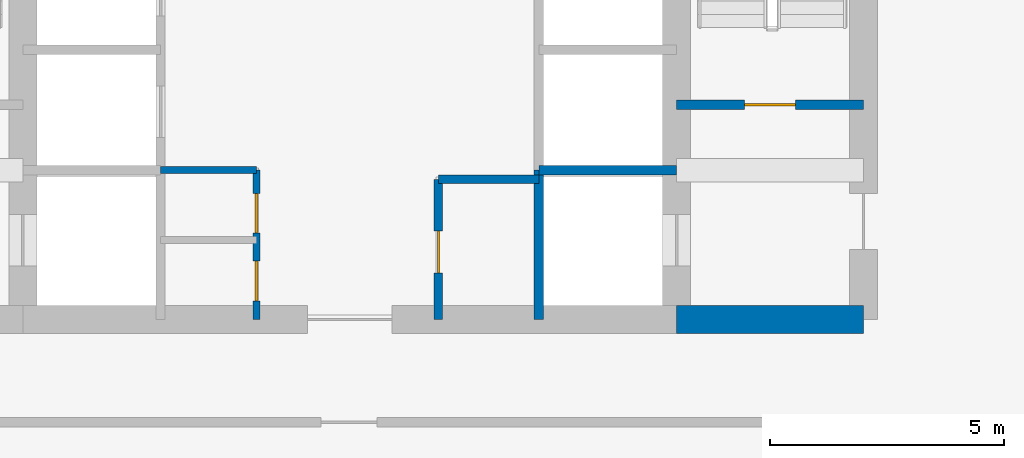
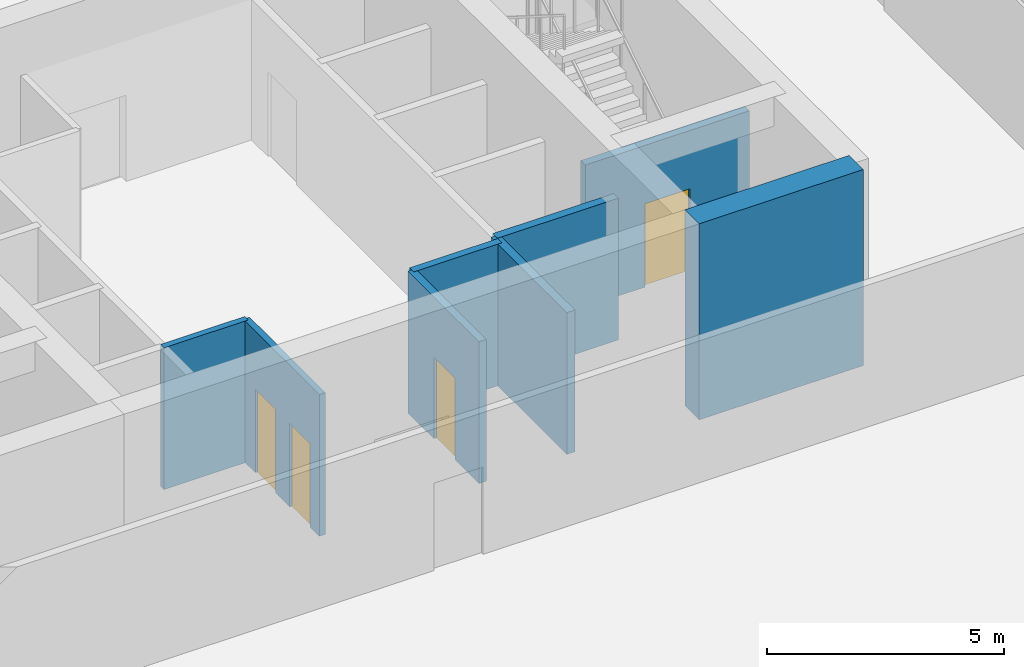
# One storey, part 4 of 12: 8 walls, 4 doors, 4 openings.
"""IFC4 building model written with IfcOpenShell, lengths in metres."""

from ifc_helpers import new_model, si_unit, direction, frame, frame_2d, origin, place, context, subcontext, project, spatial, rectangle, extrude, material, layer, layer_set, type_object, element, fill, save


model = new_model("IFC4")

# Units and contexts
model_context = context("Model", 3, precision=1e-05, world=origin(), true_north=direction((0.0, 1.0)))
body_context = subcontext(model_context, "Body", "Model", "MODEL_VIEW")
ifc_project = project(units=[si_unit("LENGTHUNIT", "METRE"), si_unit("AREAUNIT", "SQUARE_METRE"), si_unit("VOLUMEUNIT", "CUBIC_METRE"), si_unit("PLANEANGLEUNIT", "RADIAN"), si_unit("MASSUNIT", "GRAM", prefix="KILO")], contexts=[model_context])

# Site, building, storey
site_placement = place(None, origin())
site = spatial("IfcSite", under=ifc_project, at=site_placement, CompositionType="ELEMENT")
building_placement = place(site_placement, origin())
building = spatial("IfcBuilding", under=site, at=building_placement, Name="Sarneth Arch Tower", CompositionType="ELEMENT")
storey_placement = place(building_placement, frame((0.0, 0.0, 16.800048828125)))
storey = spatial("IfcBuildingStorey", under=building, at=storey_placement, Name="L03", CompositionType="ELEMENT", Elevation=16.800048828125)

# Walls
ifc_material_1 = material(Name="Concrete C60/75", Category="concrete")
ifc_layer_1 = layer(ifc_material_1, 0.60009765625)
ifc_layer_set_1 = layer_set([ifc_layer_1], Name="Concrete C60/75")
wall_type_1 = type_object("IfcWallType", Name="WALL-CORE-600", PredefinedType="SHEAR", material=ifc_layer_set_1)
wall_1_placement = place(storey_placement, frame((55.0, 35.199951171875, 0.0), z_axis=(0.0, 0.0, 1.0), x_axis=(1.0, 0.0, 0.0)))
element("IfcWall", 1, at=wall_1_placement, inside=storey, type_object=wall_type_1, Name="L03 Core shear wall S-E", PredefinedType="SHEAR", context=body_context, shape_type="SweptSolid", body=[
    extrude(rectangle(XDim=4.0, YDim=0.60009765625, at=frame_2d((2.0, 0.0))), origin(), (0.0, 0.0, 1.0), 5.050048828125),
])
ifc_material_2 = material(Name="Acoustic gypsum stud partition", Category="gypsum")
ifc_layer_2 = layer(ifc_material_2, 0.14990234375)
ifc_layer_set_2 = layer_set([ifc_layer_2], Name="Acoustic gypsum stud partition")
wall_type_2 = type_object("IfcWallType", Name="WALL-PART-150", PredefinedType="PARTITIONING", material=ifc_layer_set_2)
wall_2_placement = place(storey_placement, frame((43.949951171875, 38.39990234375, 0.0), z_axis=(0.0, 0.0, 1.0), x_axis=(1.0, 0.0, 0.0)))
element("IfcWall", 2, at=wall_2_placement, inside=storey, type_object=wall_type_2, Name="L03 Interior partition W-L03-CSUP-N", PredefinedType="PARTITIONING", context=body_context, shape_type="SweptSolid", body=[
    extrude(rectangle(XDim=2.050048828125, YDim=0.14990234375, at=frame_2d((1.02490234375, 0.0))), origin(), (0.0, 0.0, 1.0), 3.64990234375),
])

# Wall, openings, doors
wall_3_placement = place(storey_placement, frame((46.0, 35.199951171875, 0.0), z_axis=(0.0, 0.0, 1.0), x_axis=(0.0, 1.0, 0.0)))
wall_3 = element("IfcWall", 3, at=wall_3_placement, inside=storey, type_object=wall_type_2, Name="L03 Interior partition W-L03-CSUP-E", PredefinedType="PARTITIONING", context=body_context, shape_type="SweptSolid", body=[
    extrude(rectangle(XDim=3.199951171875, YDim=0.14990234375, at=frame_2d((1.60009765625, 0.0))), origin(), (0.0, 0.0, 1.0), 3.64990234375),
])
opening_1_placement = place(wall_3_placement, frame((0.39990234375, 0.0, 0.0)))
opening_1 = element("IfcOpeningElement", 4, at=opening_1_placement, cuts=wall_3, Name="Opening FD-11", PredefinedType="OPENING", context=body_context, shape_type="SweptSolid", body=[
    extrude(rectangle(XDim=0.85009765625, YDim=2.14990234375, at=frame_2d((0.425048828125, 1.074951171875))), frame((0.0, 0.0849609375, 0.0), z_axis=(0.0, -1.0, 0.0), x_axis=(1.0, 0.0, 0.0)), (0.0, 0.0, 1.0), 0.169921875),
])
opening_2_placement = place(wall_3_placement, frame((1.85009765625, 0.0, 0.0)))
opening_2 = element("IfcOpeningElement", 5, at=opening_2_placement, cuts=wall_3, Name="Opening FD-11", PredefinedType="OPENING", context=body_context, shape_type="SweptSolid", body=[
    extrude(rectangle(XDim=0.85009765625, YDim=2.14990234375, at=frame_2d((0.425048828125, 1.074951171875))), frame((0.0, 0.0849609375, 0.0), z_axis=(0.0, -1.0, 0.0), x_axis=(1.0, 0.0, 0.0)), (0.0, 0.0, 1.0), 0.169921875),
])
ifc_material_3 = material(Name="Galvanised Steel S275 closet fire door", Category="steel")
door_type_1 = type_object("IfcDoorType", Name="DR-FD60-850", OperationType="SINGLE_SWING_LEFT", PredefinedType="DOOR", material=ifc_material_3)
door_1_placement = place(opening_1_placement, origin())
door_1 = element("IfcDoor", 6, at=door_1_placement, inside=storey, type_object=door_type_1, Name="L03 Interior door DR-L03-CSUP1", OperationType="SINGLE_SWING_LEFT", OverallHeight=2.14990234375, OverallWidth=0.85009765625, PredefinedType="DOOR", context=body_context, shape_type="SweptSolid", body=[
    extrude(rectangle(XDim=0.85009765625, YDim=2.14990234375, at=frame_2d((0.425048828125, 1.074951171875))), frame((0.0, 0.02490234375, 0.0), z_axis=(0.0, -1.0, 0.0), x_axis=(1.0, 0.0, 0.0)), (0.0, 0.0, 1.0), 0.050048828125),
])
fill(opening_1, door_1)
door_2_placement = place(opening_2_placement, origin())
door_2 = element("IfcDoor", 7, at=door_2_placement, inside=storey, type_object=door_type_1, Name="L03 Interior door DR-L03-CSUP2", OperationType="SINGLE_SWING_RIGHT", OverallHeight=2.14990234375, OverallWidth=0.85009765625, PredefinedType="DOOR", context=body_context, shape_type="SweptSolid", body=[
    extrude(rectangle(XDim=0.85009765625, YDim=2.14990234375, at=frame_2d((0.425048828125, 1.074951171875))), frame((0.0, 0.02490234375, 0.0), z_axis=(0.0, -1.0, 0.0), x_axis=(1.0, 0.0, 0.0)), (0.0, 0.0, 1.0), 0.050048828125),
])
fill(opening_2, door_2)

# Wall
ifc_material_4 = material(Name="Moisture-resistant plumbing chase wall", Category="gypsum")
ifc_layer_3 = layer(ifc_material_4, 0.179931640625)
ifc_layer_set_3 = layer_set([ifc_layer_3], Name="Moisture-resistant plumbing chase wall")
wall_type_3 = type_object("IfcWallType", Name="WALL-PLUMB-180", PredefinedType="PLUMBINGWALL", material=ifc_layer_set_3)
wall_4_placement = place(storey_placement, frame((49.89990234375, 38.199951171875, 0.0), z_axis=(0.0, 0.0, 1.0), x_axis=(1.0, 0.0, 0.0)))
element("IfcWall", 8, at=wall_4_placement, inside=storey, type_object=wall_type_3, Name="L03 Interior partition W-L03-AWC-N", PredefinedType="PLUMBINGWALL", context=body_context, shape_type="SweptSolid", body=[
    extrude(rectangle(XDim=2.150146484375, YDim=0.179931640625, at=frame_2d((1.0751953125, 0.0))), origin(), (0.0, 0.0, 1.0), 3.64990234375),
])

# Wall, opening, door
wall_5_placement = place(storey_placement, frame((49.89990234375, 35.199951171875, 0.0), z_axis=(0.0, 0.0, 1.0), x_axis=(0.0, 1.0, 0.0)))
wall_5 = element("IfcWall", 9, at=wall_5_placement, inside=storey, type_object=wall_type_3, Name="L03 Interior partition W-L03-AWC-W", PredefinedType="PLUMBINGWALL", context=body_context, shape_type="SweptSolid", body=[
    extrude(rectangle(XDim=3.0, YDim=0.179931640625, at=frame_2d((1.5, 0.0))), origin(), (0.0, 0.0, 1.0), 3.64990234375),
])
opening_3_placement = place(wall_5_placement, frame((1.0, 0.0, 0.0)))
opening_3 = element("IfcOpeningElement", 10, at=opening_3_placement, cuts=wall_5, Name="Opening ID-01", PredefinedType="OPENING", context=body_context, shape_type="SweptSolid", body=[
    extrude(rectangle(XDim=0.89990234375, YDim=2.10009765625, at=frame_2d((0.449951171875, 1.050048828125))), frame((0.0, 0.099853515625, 0.0), z_axis=(0.0, -1.0, 0.0), x_axis=(1.0, 0.0, 0.0)), (0.0, 0.0, 1.0), 0.199951171875),
])
ifc_material_5 = material(Name="Engineered hardwood flush door", Category="wood")
door_type_2 = type_object("IfcDoorType", Name="DR-INT-900", OperationType="SINGLE_SWING_LEFT", PredefinedType="DOOR", material=ifc_material_5)
door_3_placement = place(opening_3_placement, origin())
door_3 = element("IfcDoor", 11, at=door_3_placement, inside=storey, type_object=door_type_2, Name="L03 Interior door DR-L03-AWC", OperationType="SINGLE_SWING_RIGHT", OverallHeight=2.10009765625, OverallWidth=0.89990234375, PredefinedType="DOOR", context=body_context, shape_type="SweptSolid", body=[
    extrude(rectangle(XDim=0.89990234375, YDim=2.10009765625, at=frame_2d((0.449951171875, 1.050048828125))), frame((0.0, 0.02490234375, 0.0), z_axis=(0.0, -1.0, 0.0), x_axis=(1.0, 0.0, 0.0)), (0.0, 0.0, 1.0), 0.050048828125),
])
fill(opening_3, door_3)

ifc_material_6 = material(Name="Aerated concrete blockwork C25/30", Category="masonry")
ifc_layer_4 = layer(ifc_material_6, 0.199951171875)
ifc_layer_set_4 = layer_set([ifc_layer_4], Name="Aerated concrete blockwork C25/30")
wall_type_4 = type_object("IfcWallType", Name="WALL-SHAFT-200", PredefinedType="SOLIDWALL", material=ifc_layer_set_4)
wall_6_placement = place(storey_placement, frame((55.0, 39.800048828125, 0.0), z_axis=(0.0, 0.0, 1.0), x_axis=(1.0, 0.0, 0.0)))
wall_6 = element("IfcWall", 12, at=wall_6_placement, inside=storey, type_object=wall_type_4, Name="L03 Interior partition W-L03-ST2-S", PredefinedType="SOLIDWALL", context=body_context, shape_type="SweptSolid", body=[
    extrude(rectangle(XDim=4.0, YDim=0.199951171875, at=frame_2d((2.0, 0.0))), origin(), (0.0, 0.0, 1.0), 3.64990234375),
])
opening_4_placement = place(wall_6_placement, frame((1.449951171875, 0.0, 0.0)))
opening_4 = element("IfcOpeningElement", 13, at=opening_4_placement, cuts=wall_6, Name="Opening FD-03", PredefinedType="OPENING", context=body_context, shape_type="SweptSolid", body=[
    extrude(rectangle(XDim=1.10009765625, YDim=2.14990234375, at=frame_2d((0.550048828125, 1.074951171875))), frame((0.0, 0.10986328125, 0.0), z_axis=(0.0, -1.0, 0.0), x_axis=(1.0, 0.0, 0.0)), (0.0, 0.0, 1.0), 0.219970703125),
])
ifc_material_7 = material(Name="Galvanised Steel S275 fire door set", Category="steel")
door_type_3 = type_object("IfcDoorType", Name="DR-FD90-1100", OperationType="SINGLE_SWING_LEFT", PredefinedType="DOOR", material=ifc_material_7)
door_4_placement = place(opening_4_placement, origin())
door_4 = element("IfcDoor", 14, at=door_4_placement, inside=storey, type_object=door_type_3, Name="L03 Interior door DR-L03-ST2", OperationType="SINGLE_SWING_RIGHT", OverallHeight=2.14990234375, OverallWidth=1.10009765625, PredefinedType="DOOR", context=body_context, shape_type="SweptSolid", body=[
    extrude(rectangle(XDim=1.10009765625, YDim=2.14990234375, at=frame_2d((0.550048828125, 1.074951171875))), frame((0.0, 0.02490234375, 0.0), z_axis=(0.0, -1.0, 0.0), x_axis=(1.0, 0.0, 0.0)), (0.0, 0.0, 1.0), 0.050048828125),
])
fill(opening_4, door_4)

# Walls
wall_7_placement = place(storey_placement, frame((52.050048828125, 35.199951171875, 0.0), z_axis=(0.0, 0.0, 1.0), x_axis=(0.0, 1.0, 0.0)))
element("IfcWall", 15, at=wall_7_placement, inside=storey, type_object=wall_type_4, Name="L03 Interior partition W-L03-FL2-W", PredefinedType="SOLIDWALL", context=body_context, shape_type="SweptSolid", body=[
    extrude(rectangle(XDim=3.199951171875, YDim=0.199951171875, at=frame_2d((1.60009765625, 0.0))), origin(), (0.0, 0.0, 1.0), 3.64990234375),
])
wall_8_placement = place(storey_placement, frame((52.050048828125, 38.39990234375, 0.0), z_axis=(0.0, 0.0, 1.0), x_axis=(1.0, 0.0, 0.0)))
element("IfcWall", 16, at=wall_8_placement, inside=storey, type_object=wall_type_4, Name="L03 Interior partition W-L03-FL2-N", PredefinedType="SOLIDWALL", context=body_context, shape_type="SweptSolid", body=[
    extrude(rectangle(XDim=2.949951171875, YDim=0.199951171875, at=frame_2d((1.47509765625, 0.0))), origin(), (0.0, 0.0, 1.0), 3.64990234375),
])

save(model, "model.ifc")
